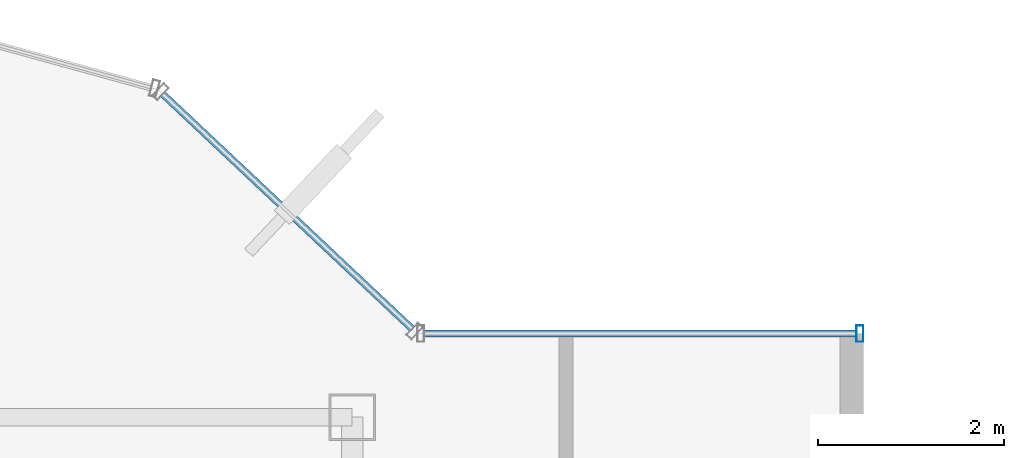
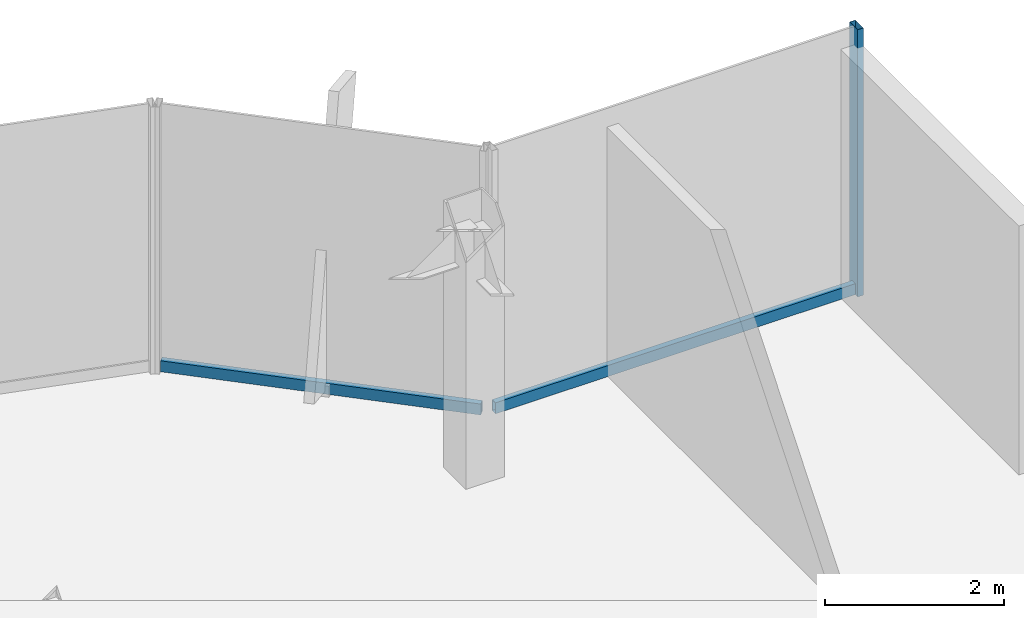
# One storey, part 15 of 22: 3 members, 2 elements without a shape of their own.
"""IFC4 building model written with IfcOpenShell, lengths in metres."""

import ifcopenshell
import ifcopenshell.guid

model = None  # the IFC model being written
_history = None  # IfcOwnerHistory: only IFC2X3 demands one
_inside = {}  # id of a spatial element -> (the spatial element, [elements in it])
_under = {}  # id of a project, library or spatial element -> (it, [spatial elements below it])
_declared = {}  # id of a project -> (the project, [libraries it declares])
_typed = {}  # id of a type object -> (the type object, [elements of that type])
_made_of = {}  # id of a material, layer set ... -> (it, [elements and type objects made of it])


def new_model(schema):
    """Start an empty IFC model of exactly this schema.

    Asked for "IFC4X3", IfcOpenShell would pick the latest addendum, in which some entities
    have other attributes; the version numbers below select the first issue.
    IFC2X3 requires an IfcOwnerHistory on every rooted entity: one is made here for all.
    """
    global model, _history
    if schema == "IFC4X3":
        model = ifcopenshell.file(schema_version=(4, 3, 0, 0))
    else:
        model = ifcopenshell.file(schema=schema)
    _inside.clear()
    _under.clear()
    _declared.clear()
    _typed.clear()
    _made_of.clear()
    _history = None
    if model.schema == "IFC2X3":
        org = make("IfcOrganization", Name="unknown")
        user = make(
            "IfcPersonAndOrganization",
            ThePerson=make("IfcPerson", FamilyName="unknown"),
            TheOrganization=org,
        )
        app = make(
            "IfcApplication",
            ApplicationDeveloper=org,
            Version="unknown",
            ApplicationFullName="unknown",
            ApplicationIdentifier="unknown",
        )
        _history = make(
            "IfcOwnerHistory",
            OwningUser=user,
            OwningApplication=app,
            ChangeAction="ADDED",
            CreationDate=0,
        )
    return model


def make(cls, **values):
    """One entity of the class cls with the attributes given. An attribute that is None is left unset."""
    return model.create_entity(
        cls, **{name: value for name, value in values.items() if value is not None}
    )


def rooted(cls, **values):
    """An entity with a GlobalId (a new one), such as an element, a storey or a relation."""
    return make(cls, GlobalId=ifcopenshell.guid.new(), OwnerHistory=_history, **values)


def si_unit(unit_type, name, prefix=None):
    """IfcSIUnit, for example si_unit("LENGTHUNIT", "METRE", prefix="MILLI")."""
    return make("IfcSIUnit", UnitType=unit_type, Prefix=prefix, Name=name)


def derived_unit(unit_type, elements):
    """IfcDerivedUnit: a product of units, each with its exponent."""
    return make(
        "IfcDerivedUnit",
        Elements=[
            make("IfcDerivedUnitElement", Unit=unit, Exponent=power)
            for unit, power in elements
        ],
        UnitType=unit_type,
    )


def assignment(units):
    """IfcUnitAssignment: the units of a project."""
    return None if units is None else make("IfcUnitAssignment", Units=units)


def point(xyz):
    """IfcCartesianPoint."""
    return None if xyz is None else make("IfcCartesianPoint", Coordinates=xyz)


def direction(xyz):
    """IfcDirection."""
    return None if xyz is None else make("IfcDirection", DirectionRatios=xyz)


def frame(location, z_axis=None, x_axis=None):
    """IfcAxis2Placement3D, a coordinate frame: its origin and axes. An axis left out is left unset."""
    return make(
        "IfcAxis2Placement3D",
        Location=point(location),
        Axis=direction(z_axis),
        RefDirection=direction(x_axis),
    )


def frame_2d(location, x_axis=None):
    """IfcAxis2Placement2D, a coordinate frame in the plane: its origin and x axis."""
    return make(
        "IfcAxis2Placement2D", Location=point(location), RefDirection=direction(x_axis)
    )


def origin():
    """The frame at (0, 0, 0) with its axes left unset."""
    return frame((0.0, 0.0, 0.0))


def origin_2d():
    """The frame at (0, 0) in the plane with its x axis left unset."""
    return frame_2d((0.0, 0.0))


def place(relative_to, where):
    """IfcLocalPlacement: puts the frame where relative to a parent placement (None: the world)."""
    return make(
        "IfcLocalPlacement", PlacementRelTo=relative_to, RelativePlacement=where
    )


def context(
    kind, dimensions, precision=None, world=None, true_north=None, identifier=None
):
    """IfcGeometricRepresentationContext, for example the 3D "Model" context."""
    return make(
        "IfcGeometricRepresentationContext",
        ContextIdentifier=identifier,
        ContextType=kind,
        CoordinateSpaceDimension=dimensions,
        Precision=precision,
        WorldCoordinateSystem=world,
        TrueNorth=true_north,
    )


def subcontext(parent, identifier, kind, view, scale=None):
    """IfcGeometricRepresentationSubContext, for example "Body" below "Model"."""
    return make(
        "IfcGeometricRepresentationSubContext",
        ContextIdentifier=identifier,
        ContextType=kind,
        ParentContext=parent,
        TargetScale=scale,
        TargetView=view,
    )


def project(units=None, contexts=None):
    """IfcProject with its units and contexts."""
    return rooted(
        "IfcProject",
        Name="project",
        RepresentationContexts=contexts,
        UnitsInContext=assignment(units),
    )


def spatial(cls, under=None, at=None, **own):
    """A site, building, storey or space (cls), placed at a placement, below another one or the project."""
    s = rooted(cls, ObjectPlacement=at, **own)
    if under is not None:
        _under.setdefault(under.id(), (under, []))[1].append(s)
    return s


def profile(cls, at=None, kind="AREA", **sizes):
    """A parametric profile (cls). Its sizes go by their IFC names, for example OverallWidth=200.0."""
    return make(cls, ProfileType=kind, Position=at, **sizes)


def hollow_rectangle(**sizes):
    """IfcRectangleHollowProfileDef."""
    return profile("IfcRectangleHollowProfileDef", **sizes)


def extrude(swept, where, along, depth):
    """IfcExtrudedAreaSolid: the profile swept, set in the frame where, extruded along a direction by depth."""
    return make(
        "IfcExtrudedAreaSolid",
        SweptArea=swept,
        Position=where,
        ExtrudedDirection=direction(along),
        Depth=depth,
    )


def shape(context_of_items, identifier, shape_type, items):
    """IfcShapeRepresentation: the items that make up one representation, for example the "Body"."""
    return make(
        "IfcShapeRepresentation",
        ContextOfItems=context_of_items,
        RepresentationIdentifier=identifier,
        RepresentationType=shape_type,
        Items=items,
    )


def source(mapping_origin, context_of_items, identifier, shape_type, items):
    """IfcRepresentationMap: a shape defined once, which mapped items show again and again."""
    return make(
        "IfcRepresentationMap",
        MappingOrigin=mapping_origin,
        MappedRepresentation=shape(context_of_items, identifier, shape_type, items),
    )


def transform(
    local_origin,
    x_axis=None,
    y_axis=None,
    z_axis=None,
    scale=None,
    scale2=None,
    scale3=None,
    uniform=True,
):
    """IfcCartesianTransformationOperator3D, or its non-uniform kind. x_axis, y_axis, z_axis: its Axis1, 2, 3."""
    if uniform:
        return make(
            "IfcCartesianTransformationOperator3D",
            Axis1=direction(x_axis),
            Axis2=direction(y_axis),
            LocalOrigin=point(local_origin),
            Scale=scale,
            Axis3=direction(z_axis),
        )
    return make(
        "IfcCartesianTransformationOperator3DnonUniform",
        Axis1=direction(x_axis),
        Axis2=direction(y_axis),
        LocalOrigin=point(local_origin),
        Scale=scale,
        Axis3=direction(z_axis),
        Scale2=scale2,
        Scale3=scale3,
    )


def mapped(mapping_source, mapping_target):
    """IfcMappedItem: shows the shape of a source again, moved by a transform."""
    return make(
        "IfcMappedItem", MappingSource=mapping_source, MappingTarget=mapping_target
    )


def material(Name=None, Category=None):
    """IfcMaterial."""
    return make("IfcMaterial", Name=Name, Category=Category)


def material_profile(
    of_material, cross_section, Name=None, Category=None, Priority=None
):
    """IfcMaterialProfile: a cross section and its material."""
    return make(
        "IfcMaterialProfile",
        Name=Name,
        Material=of_material,
        Profile=cross_section,
        Priority=Priority,
        Category=Category,
    )


def profile_set(profiles, Name=None, composite=None):
    """IfcMaterialProfileSet."""
    return make(
        "IfcMaterialProfileSet",
        Name=Name,
        MaterialProfiles=profiles,
        CompositeProfile=composite,
    )


def made_of(thing, what):
    """Note that an element or type object is made of a material, layer set ...; save() writes the relation."""
    if what is not None:
        _made_of.setdefault(what.id(), (what, []))[1].append(thing)
    return thing


def type_object(cls, material=None, **own):
    """A type object (cls), such as IfcWallType, which elements share."""
    return made_of(rooted(cls, **own), material)


def element(
    cls,
    number,
    at=None,
    inside=None,
    cuts=None,
    type_object=None,
    material=None,
    context=None,
    identifier="Body",
    shape_type=None,
    held_by="IfcProductDefinitionShape",
    body=None,
    shapes=None,
    **own,
):
    """One element of the class cls, such as IfcWall. Its Tag is "e" and its number.

    at: its placement. inside: the storey or other place that contains it. cuts: it is an
    opening in that element (IfcRelVoidsElement). A single representation is given by context,
    identifier, shape_type and body (its items); several are given by shapes. held_by: the class
    of the entity that holds the representations. save() writes the other relations.
    """
    e = rooted(cls, Tag="e%d" % number, ObjectPlacement=at, **own)
    if body is not None:
        shapes = [shape(context, identifier, shape_type, body)]
    if shapes is not None:
        e.Representation = make(held_by, Representations=shapes)
    if inside is not None:
        _inside.setdefault(inside.id(), (inside, []))[1].append(e)
    if cuts is not None:
        rooted(
            "IfcRelVoidsElement", RelatingBuildingElement=cuts, RelatedOpeningElement=e
        )
    if type_object is not None:
        _typed.setdefault(type_object.id(), (type_object, []))[1].append(e)
    return made_of(e, material)


def aggregate(whole, parts):
    """IfcRelAggregates: a whole, such as a stair, and the parts it consists of."""
    return rooted("IfcRelAggregates", RelatingObject=whole, RelatedObjects=parts)


def save(model, path):
    """Write the relations noted so far, then the file.

    IfcRelAggregates (storeys below a building ...), IfcRelContainedInSpatialStructure (elements
    in a storey), IfcRelDefinesByType, IfcRelAssociatesMaterial and IfcRelDeclares: one each for
    every whole, place, type object, material and project.
    """
    for whole, parts in _under.values():
        aggregate(whole, parts)
    for where, things in _inside.values():
        rooted(
            "IfcRelContainedInSpatialStructure",
            RelatedElements=things,
            RelatingStructure=where,
        )
    for kind, things in _typed.values():
        rooted("IfcRelDefinesByType", RelatedObjects=things, RelatingType=kind)
    for what, things in _made_of.values():
        rooted("IfcRelAssociatesMaterial", RelatedObjects=things, RelatingMaterial=what)
    for by, libraries in _declared.values():
        rooted("IfcRelDeclares", RelatingContext=by, RelatedDefinitions=libraries)
    model.write(path)


model = new_model("IFC4")

# Units and contexts
model_context = context("Model", 3, precision=1e-05, world=origin(), true_north=direction((0.0, 1.0)))
body_context = subcontext(model_context, "Body", "Model", "MODEL_VIEW")
ifc_project = project(units=[si_unit("LENGTHUNIT", "METRE"), si_unit("AREAUNIT", "SQUARE_METRE"), si_unit("VOLUMEUNIT", "CUBIC_METRE"), si_unit("PLANEANGLEUNIT", "RADIAN"), si_unit("MASSUNIT", "GRAM", prefix="KILO"), derived_unit("THERMALTRANSMITTANCEUNIT", [(si_unit("POWERUNIT", "WATT"), 1), (si_unit("LENGTHUNIT", "METRE"), -2), (si_unit("THERMODYNAMICTEMPERATUREUNIT", "KELVIN"), -1)])], contexts=[model_context])

# Site, building, storey
site_placement = place(None, origin())
site = spatial("IfcSite", under=ifc_project, at=site_placement, CompositionType="ELEMENT")
building_placement = place(site_placement, origin())
building = spatial("IfcBuilding", under=site, at=building_placement, Name="Skarnbrae Concourse Arena and Tower", CompositionType="ELEMENT")
storey_placement = place(building_placement, frame((0.0, 0.0, 225.10009765625)))
storey = spatial("IfcBuildingStorey", under=building, at=storey_placement, Name="L58", CompositionType="ELEMENT", Elevation=225.10009765625)

# Curtain wall, members
ifc_material = material(Name="Bronze anodised aluminium 6063-T6", Category="aluminium")
curtain_wall_type = type_object("IfcCurtainWallType", Name="CW-SYS-05-HIGHZONE", PredefinedType="USERDEFINED", material=ifc_material)
curtain_wall_1_placement = place(storey_placement, origin())
curtain_wall_1 = element("IfcCurtainWall", 1, at=curtain_wall_1_placement, inside=storey, type_object=curtain_wall_type, Name="L58 Unitised curtain wall CW-L58-E07", ObjectType="UNITISED CURTAIN WALL", PredefinedType="USERDEFINED")
ifc_material_profile_1 = material_profile(ifc_material, hollow_rectangle(XDim=0.074951171875, YDim=0.179931640625, WallThickness=0.00390625, at=origin_2d()), Name="ALU-MULL-75X180")
ifc_profile_set_1 = profile_set([ifc_material_profile_1], Name="Bronze anodised aluminium 6063-T6")
member_type_1 = type_object("IfcMemberType", Name="CWM-CW-05", PredefinedType="MULLION", material=ifc_profile_set_1)
shared_shape_1 = source(origin(), body_context, "Body", "SweptSolid", [
    extrude(hollow_rectangle(XDim=0.074951171875, YDim=0.179931640625, WallThickness=0.00390625, at=origin_2d()), origin(), (0.0, 0.0, 1.0), 3.64990234375),
])
member_1_placement = place(storey_placement, frame((38.96240234375, 35.300048828125, 0.0), z_axis=(0.0, 0.0, 1.0), x_axis=(-1.0, 0.0, 0.0)))
member_1 = element("IfcMember", 2, at=member_1_placement, type_object=member_type_1, Name="CW-L58-E07 Mullion 1", PredefinedType="MULLION", context=body_context, shape_type="MappedRepresentation", body=[
    mapped(shared_shape_1, transform((0.0, 0.0, 0.0))),
])
ifc_material_profile_2 = material_profile(ifc_material, hollow_rectangle(XDim=0.074951171875, YDim=0.14990234375, WallThickness=0.00390625, at=origin_2d()), Name="ALU-TRAN-75X150")
ifc_profile_set_2 = profile_set([ifc_material_profile_2], Name="Bronze anodised aluminium 6063-T6")
member_type_2 = type_object("IfcMemberType", Name="CWT-CW-05", PredefinedType="USERDEFINED", material=ifc_profile_set_2)
shared_shape_2 = source(origin(), body_context, "Body", "SweptSolid", [
    extrude(hollow_rectangle(XDim=0.074951171875, YDim=0.14990234375, WallThickness=0.00390625, at=origin_2d()), origin(), (0.0, 0.0, 1.0), 4.650146484375),
])
member_2_placement = place(storey_placement, frame((38.925048828125, 35.300048828125, 0.074951171875), z_axis=(-1.0, 0.0, 0.0), x_axis=(0.0, -1.0, 0.0)))
member_2 = element("IfcMember", 3, at=member_2_placement, type_object=member_type_2, Name="CW-L58-E07 Transom 1", ObjectType="TRANSOM", PredefinedType="USERDEFINED", context=body_context, shape_type="MappedRepresentation", body=[
    mapped(shared_shape_2, transform((0.0, 0.0, 0.0))),
])
aggregate(curtain_wall_1, [member_1, member_2])

# Curtain wall, member
curtain_wall_2_placement = place(storey_placement, origin())
curtain_wall_2 = element("IfcCurtainWall", 4, at=curtain_wall_2_placement, inside=storey, type_object=curtain_wall_type, Name="L58 Unitised curtain wall CW-L58-E08", ObjectType="UNITISED CURTAIN WALL", PredefinedType="USERDEFINED")
shared_shape_3 = source(origin(), body_context, "Body", "SweptSolid", [
    extrude(hollow_rectangle(XDim=0.074951171875, YDim=0.14990234375, WallThickness=0.00390625, at=origin_2d()), origin(), (0.0, 0.0, 1.0), 3.68212890625),
])
member_3_placement = place(storey_placement, frame((34.1455078125, 35.351318359375, 0.074951171875), z_axis=(-0.728133808476, 0.685435012933, 0.0), x_axis=(-0.685435012933, -0.728133808476, 0.0)))
member_3 = element("IfcMember", 5, at=member_3_placement, type_object=member_type_2, Name="CW-L58-E08 Transom 1", ObjectType="TRANSOM", PredefinedType="USERDEFINED", context=body_context, shape_type="MappedRepresentation", body=[
    mapped(shared_shape_3, transform((0.0, 0.0, 0.0))),
])
aggregate(curtain_wall_2, [member_3])

save(model, "model.ifc")
